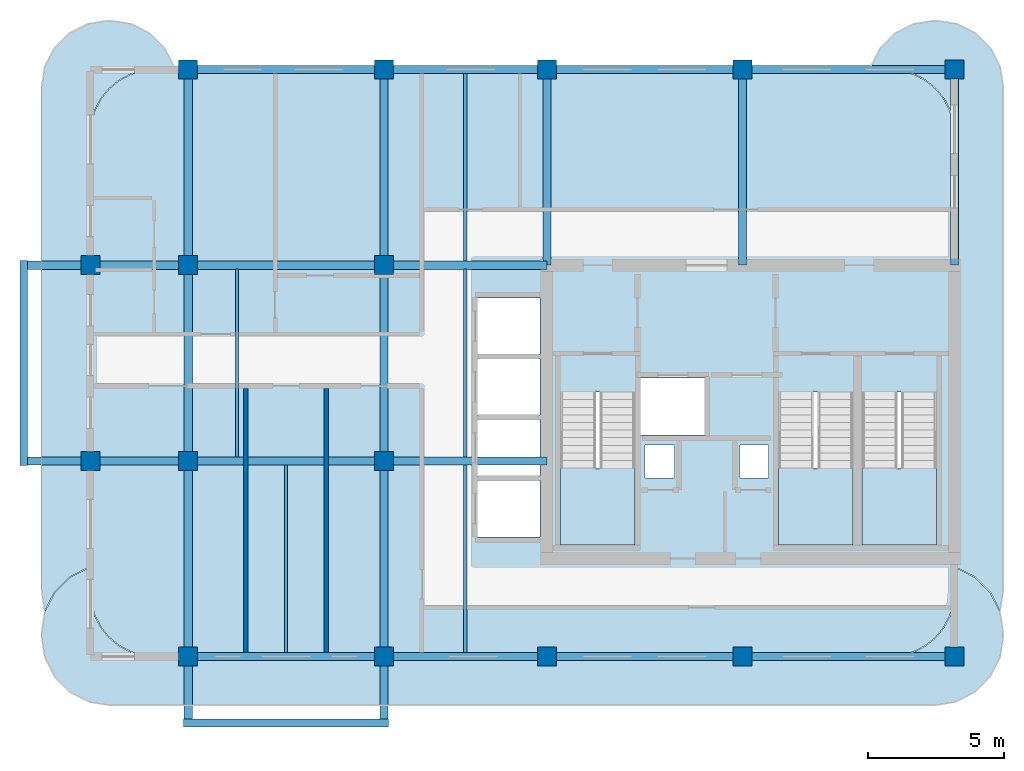
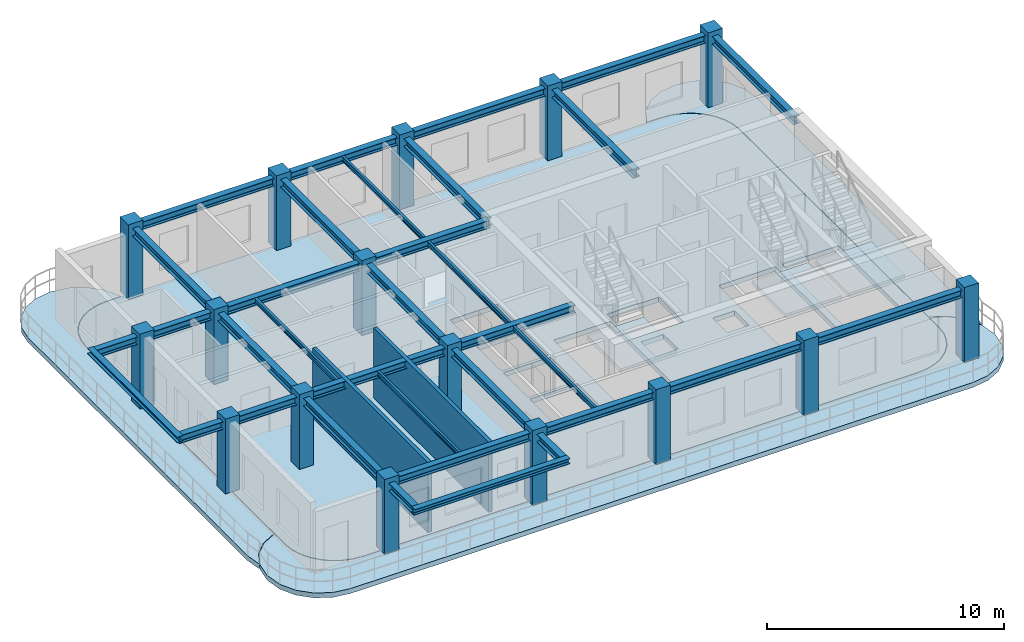
# One storey, part 1 of 7: 28 beams, 16 columns, 7 slabs, 2 walls, 3 elements without a shape of their own.
"""IFC4 building model written with IfcOpenShell, lengths in metres."""

from ifc_helpers import new_model, si_unit, derived_unit, direction, frame, frame_2d, origin, origin_2d, place, context, subcontext, project, spatial, polyline, rectangle, i_section, outline, extrude, source, transform, mapped, material, layer, layer_set, material_profile, profile_set, type_object, type_shapes, element, aggregate, save


model = new_model("IFC4")

# Units and contexts
model_context = context("Model", 3, precision=1e-05, world=origin(), true_north=direction((0.0, 1.0)))
body_context = subcontext(model_context, "Body", "Model", "MODEL_VIEW")
ifc_project = project(units=[si_unit("LENGTHUNIT", "METRE"), si_unit("AREAUNIT", "SQUARE_METRE"), si_unit("VOLUMEUNIT", "CUBIC_METRE"), si_unit("PLANEANGLEUNIT", "RADIAN"), si_unit("MASSUNIT", "GRAM", prefix="KILO"), si_unit("THERMODYNAMICTEMPERATUREUNIT", "KELVIN"), si_unit("POWERUNIT", "WATT"), derived_unit("THERMALTRANSMITTANCEUNIT", [(si_unit("POWERUNIT", "WATT"), 1), (si_unit("AREAUNIT", "SQUARE_METRE"), -1), (si_unit("THERMODYNAMICTEMPERATUREUNIT", "KELVIN"), -1)])], contexts=[model_context])

# Site, building, storey
site_placement = place(None, origin())
site = spatial("IfcSite", under=ifc_project, at=site_placement, CompositionType="ELEMENT")
building_placement = place(site_placement, origin())
building = spatial("IfcBuilding", under=site, at=building_placement, Name="Zahravan Archway Hotel and Residences", CompositionType="ELEMENT")
storey_placement = place(building_placement, frame((0.0, 0.0, 275.050048828125)))
storey = spatial("IfcBuildingStorey", under=building, at=storey_placement, Name="L69", CompositionType="ELEMENT", Elevation=275.050048828125)

# Columns
ifc_material_1 = material(Name="Concrete C50/60", Category="concrete")
ifc_material_profile_1 = material_profile(ifc_material_1, rectangle(XDim=0.699951171875, YDim=0.699951171875, at=origin_2d()), Name="RC-COL-700x700", Category="concrete")
ifc_profile_set_1 = profile_set([ifc_material_profile_1], Name="Concrete C50/60")
column_type = type_object("IfcColumnType", Name="COL-RC-700", PredefinedType="COLUMN", material=ifc_profile_set_1)
shared_shape_1 = source(origin(), body_context, "Body", "SweptSolid", [
    extrude(rectangle(XDim=0.699951171875, YDim=0.699951171875, at=origin_2d()), origin(), (0.0, 0.0, 1.0), 3.849853515625),
])
type_shapes(column_type, [shared_shape_1])
for number, where, z_axis, x_axis, name in (
    (1, (21.60009765625, 0.0, 0.0), (0.0, 0.0, 1.0), (1.0, 0.0, 0.0), "L69 Column 4-A"),
    (2, (21.60009765625, 7.199951171875, 0.0), (0.0, 0.0, 1.0), (1.0, 0.0, 0.0), "L69 Column 4-B"),
    (3, (21.60009765625, 14.39990234375, 0.0), (0.0, 0.0, 1.0), (1.0, 0.0, 0.0), "L69 Column 4-C"),
    (4, (21.60009765625, 21.60009765625, 0.0), (0.0, 0.0, 1.0), (1.0, 0.0, 0.0), "L69 Column 4-D"),
    (5, (28.800048828125, 0.0, 0.0), (0.0, 0.0, 1.0), (1.0, 0.0, 0.0), "L69 Column 5-A"),
    (6, (28.800048828125, 7.199951171875, 0.0), (0.0, 0.0, 1.0), (1.0, 0.0, 0.0), "L69 Column 5-B"),
    (7, (28.800048828125, 14.39990234375, 0.0), (0.0, 0.0, 1.0), (1.0, 0.0, 0.0), "L69 Column 5-C"),
    (8, (28.800048828125, 21.60009765625, 0.0), (0.0, 0.0, 1.0), (1.0, 0.0, 0.0), "L69 Column 5-D"),
    (9, (34.800048828125, 0.0, 0.0), (0.0, 0.0, 1.0), (1.0, 0.0, 0.0), "L69 Column 6-A"),
    (10, (34.800048828125, 21.60009765625, 0.0), (0.0, 0.0, 1.0), (1.0, 0.0, 0.0), "L69 Column 6-D"),
    (11, (42.0, 0.0, 0.0), (0.0, 0.0, 1.0), (1.0, 0.0, 0.0), "L69 Column 7-A"),
    (12, (42.0, 21.60009765625, 0.0), (0.0, 0.0, 1.0), (1.0, 0.0, 0.0), "L69 Column 7-D"),
    (13, (49.800048828125, 0.0, 0.0), (0.0, 0.0, 1.0), (1.0, 0.0, 0.0), "L69 Column 8-A"),
    (14, (49.800048828125, 21.60009765625, 0.0), (0.0, 0.0, 1.0), (1.0, 0.0, 0.0), "L69 Column 8-D"),
    (15, (18.0, 7.199951171875, 0.0), (0.0, 0.0, 1.0), (1.0, 0.0, 0.0), "L69 Column 3W-B"),
    (16, (18.0, 14.39990234375, 0.0), (0.0, 0.0, 1.0), (1.0, 0.0, 0.0), "L69 Column 3W-C"),
):
    element("IfcColumn", number, at=place(storey_placement, frame(where, z_axis=z_axis, x_axis=x_axis)), inside=storey, type_object=column_type, Name=name, PredefinedType="COLUMN", context=body_context, shape_type="MappedRepresentation", body=[
        mapped(shared_shape_1, transform((0.0, 0.0, 0.0), scale=1.0)),
    ])

# Beams
ifc_material_2 = material(Name="Structural Steel S355JR", Category="steel")
ifc_material_profile_2 = material_profile(ifc_material_2, i_section(OverallWidth=0.280029296875, OverallDepth=0.280029296875, WebThickness=0.010498046875, FlangeThickness=0.01806640625, FilletRadius=0.02392578125, at=origin_2d()), Name="HEB 280", Category="steel")
ifc_profile_set_2 = profile_set([ifc_material_profile_2], Name="Structural Steel S355JR")
beam_type_1 = type_object("IfcBeamType", Name="BM-SPN-HEB280", PredefinedType="SPANDREL", material=ifc_profile_set_2)
shared_shape_2 = source(origin(), body_context, "Body", "SweptSolid", [
    extrude(i_section(OverallWidth=0.280029296875, OverallDepth=0.280029296875, WebThickness=0.010498046875, FlangeThickness=0.01806640625, FilletRadius=0.02392578125, at=origin_2d()), origin(), (0.0, 0.0, 1.0), 7.56005859375),
])
type_shapes(beam_type_1, [shared_shape_2])
for number, where, z_axis, x_axis, name in (
    (17, (15.550048828125, 7.02001953125, 3.4599609375), (0.0, 1.0, 0.0), (-1.0, 0.0, 0.0), "L70 WA Balcony Edge Spandrel"),
    (18, (21.419921875, -2.449951171875, 3.4599609375), (1.0, 0.0, 0.0), (0.0, 1.0, 0.0), "L70 SA Balcony Edge Spandrel"),
):
    element("IfcBeam", number, at=place(storey_placement, frame(where, z_axis=z_axis, x_axis=x_axis)), inside=storey, type_object=beam_type_1, Name=name, PredefinedType="SPANDREL", context=body_context, shape_type="MappedRepresentation", body=[
        mapped(shared_shape_2, transform((0.0, 0.0, 0.0), scale=1.0)),
    ])
ifc_material_profile_3 = material_profile(ifc_material_2, i_section(OverallWidth=0.300048828125, OverallDepth=0.39990234375, WebThickness=0.013427734375, FlangeThickness=0.02392578125, FilletRadius=0.027099609375, at=origin_2d()), Name="HEB 400", Category="steel")
ifc_profile_set_3 = profile_set([ifc_material_profile_3], Name="Structural Steel S355JR")
beam_type_2 = type_object("IfcBeamType", Name="BM-PRI-HEB400", PredefinedType="BEAM", material=ifc_profile_set_3)
shared_shape_3 = source(origin(), body_context, "Body", "SweptSolid", [
    extrude(i_section(OverallWidth=0.300048828125, OverallDepth=0.39990234375, WebThickness=0.013427734375, FlangeThickness=0.02392578125, FilletRadius=0.027099609375, at=origin_2d()), origin(), (0.0, 0.0, 1.0), 7.199951171875),
])
type_shapes(beam_type_2, [shared_shape_3])
for number, where, z_axis, x_axis, name in (
    (19, (21.60009765625, 0.0, 3.39990234375), (1.0, 0.0, 0.0), (0.0, 1.0, 0.0), "L69 Primary Girder EW-01"),
    (20, (34.800048828125, 0.0, 3.39990234375), (1.0, 0.0, 0.0), (0.0, 1.0, 0.0), "L69 Primary Girder EW-03"),
    (21, (21.60009765625, 21.60009765625, 3.39990234375), (1.0, 0.0, 0.0), (0.0, 1.0, 0.0), "L69 Primary Girder EW-09"),
    (22, (34.800048828125, 21.60009765625, 3.39990234375), (1.0, 0.0, 0.0), (0.0, 1.0, 0.0), "L69 Primary Girder EW-11"),
    (23, (21.60009765625, 7.199951171875, 3.39990234375), (0.0, 1.0, 0.0), (-1.0, 0.0, 0.0), "L69 Primary Girder NS-14"),
    (24, (28.800048828125, 7.199951171875, 3.39990234375), (0.0, 1.0, 0.0), (-1.0, 0.0, 0.0), "L69 Primary Girder NS-17"),
):
    element("IfcBeam", number, at=place(storey_placement, frame(where, z_axis=z_axis, x_axis=x_axis)), inside=storey, type_object=beam_type_2, Name=name, PredefinedType="BEAM", context=body_context, shape_type="MappedRepresentation", body=[
        mapped(shared_shape_3, transform((0.0, 0.0, 0.0), scale=1.0)),
    ])
shared_shape_4 = source(origin(), body_context, "Body", "SweptSolid", [
    extrude(i_section(OverallWidth=0.300048828125, OverallDepth=0.39990234375, WebThickness=0.013427734375, FlangeThickness=0.02392578125, FilletRadius=0.027099609375, at=origin_2d()), origin(), (0.0, 0.0, 1.0), 6.0),
])
for number, where, z_axis, x_axis, name in (
    (25, (28.800048828125, 0.0, 3.39990234375), (1.0, 0.0, 0.0), (0.0, 1.0, 0.0), "L69 Primary Girder EW-02"),
    (26, (28.800048828125, 7.199951171875, 3.39990234375), (1.0, 0.0, 0.0), (0.0, 1.0, 0.0), "L69 Primary Girder EW-06"),
    (27, (28.800048828125, 14.39990234375, 3.39990234375), (1.0, 0.0, 0.0), (0.0, 1.0, 0.0), "L69 Primary Girder EW-08"),
    (28, (28.800048828125, 21.60009765625, 3.39990234375), (1.0, 0.0, 0.0), (0.0, 1.0, 0.0), "L69 Primary Girder EW-10"),
):
    element("IfcBeam", number, at=place(storey_placement, frame(where, z_axis=z_axis, x_axis=x_axis)), inside=storey, type_object=beam_type_2, Name=name, PredefinedType="BEAM", context=body_context, shape_type="MappedRepresentation", body=[
        mapped(shared_shape_4, transform((0.0, 0.0, 0.0), scale=1.0)),
    ])
shared_shape_5 = source(origin(), body_context, "Body", "SweptSolid", [
    extrude(i_section(OverallWidth=0.300048828125, OverallDepth=0.39990234375, WebThickness=0.013427734375, FlangeThickness=0.02392578125, FilletRadius=0.027099609375, at=origin_2d()), origin(), (0.0, 0.0, 1.0), 7.800048828125),
])
for number, where, z_axis, x_axis, name in (
    (29, (42.0, 0.0, 3.39990234375), (1.0, 0.0, 0.0), (0.0, 1.0, 0.0), "L69 Primary Girder EW-04"),
    (30, (42.0, 21.60009765625, 3.39990234375), (1.0, 0.0, 0.0), (0.0, 1.0, 0.0), "L69 Primary Girder EW-12"),
):
    element("IfcBeam", number, at=place(storey_placement, frame(where, z_axis=z_axis, x_axis=x_axis)), inside=storey, type_object=beam_type_2, Name=name, PredefinedType="BEAM", context=body_context, shape_type="MappedRepresentation", body=[
        mapped(shared_shape_5, transform((0.0, 0.0, 0.0), scale=1.0)),
    ])
shared_shape_6 = source(origin(), body_context, "Body", "SweptSolid", [
    extrude(i_section(OverallWidth=0.300048828125, OverallDepth=0.39990234375, WebThickness=0.013427734375, FlangeThickness=0.02392578125, FilletRadius=0.027099609375, at=origin_2d()), origin(), (0.0, 0.0, 1.0), 13.25),
])
for number, where, z_axis, x_axis, name in (
    (31, (15.550048828125, 7.199951171875, 3.39990234375), (1.0, 0.0, 0.0), (0.0, 1.0, 0.0), "L69 Primary Girder EW-05"),
    (32, (15.550048828125, 14.39990234375, 3.39990234375), (1.0, 0.0, 0.0), (0.0, 1.0, 0.0), "L69 Primary Girder EW-07"),
):
    element("IfcBeam", number, at=place(storey_placement, frame(where, z_axis=z_axis, x_axis=x_axis)), inside=storey, type_object=beam_type_2, Name=name, PredefinedType="BEAM", context=body_context, shape_type="MappedRepresentation", body=[
        mapped(shared_shape_6, transform((0.0, 0.0, 0.0), scale=1.0)),
    ])
shared_shape_7 = source(origin(), body_context, "Body", "SweptSolid", [
    extrude(i_section(OverallWidth=0.300048828125, OverallDepth=0.39990234375, WebThickness=0.013427734375, FlangeThickness=0.02392578125, FilletRadius=0.027099609375, at=origin_2d()), origin(), (0.0, 0.0, 1.0), 9.64990234375),
])
for number, where, z_axis, x_axis, name in (
    (33, (21.60009765625, -2.449951171875, 3.39990234375), (0.0, 1.0, 0.0), (-1.0, 0.0, 0.0), "L69 Primary Girder NS-13"),
    (34, (28.800048828125, -2.449951171875, 3.39990234375), (0.0, 1.0, 0.0), (-1.0, 0.0, 0.0), "L69 Primary Girder NS-16"),
):
    element("IfcBeam", number, at=place(storey_placement, frame(where, z_axis=z_axis, x_axis=x_axis)), inside=storey, type_object=beam_type_2, Name=name, PredefinedType="BEAM", context=body_context, shape_type="MappedRepresentation", body=[
        mapped(shared_shape_7, transform((0.0, 0.0, 0.0), scale=1.0)),
    ])
shared_shape_8 = source(origin(), body_context, "Body", "SweptSolid", [
    extrude(i_section(OverallWidth=0.300048828125, OverallDepth=0.39990234375, WebThickness=0.013427734375, FlangeThickness=0.02392578125, FilletRadius=0.027099609375, at=origin_2d()), origin(), (0.0, 0.0, 1.0), 7.2001953125),
])
for number, where, z_axis, x_axis, name in (
    (35, (21.60009765625, 14.39990234375, 3.39990234375), (0.0, 1.0, 0.0), (-1.0, 0.0, 0.0), "L69 Primary Girder NS-15"),
    (36, (28.800048828125, 14.39990234375, 3.39990234375), (0.0, 1.0, 0.0), (-1.0, 0.0, 0.0), "L69 Primary Girder NS-18"),
    (37, (34.800048828125, 14.39990234375, 3.39990234375), (0.0, 1.0, 0.0), (-1.0, 0.0, 0.0), "L69 Primary Girder NS-19"),
    (38, (42.0, 14.39990234375, 3.39990234375), (0.0, 1.0, 0.0), (-1.0, 0.0, 0.0), "L69 Primary Girder NS-20"),
    (39, (49.800048828125, 14.39990234375, 3.39990234375), (0.0, 1.0, 0.0), (-1.0, 0.0, 0.0), "L69 Primary Girder NS-21"),
):
    element("IfcBeam", number, at=place(storey_placement, frame(where, z_axis=z_axis, x_axis=x_axis)), inside=storey, type_object=beam_type_2, Name=name, PredefinedType="BEAM", context=body_context, shape_type="MappedRepresentation", body=[
        mapped(shared_shape_8, transform((0.0, 0.0, 0.0), scale=1.0)),
    ])
ifc_material_profile_4 = material_profile(ifc_material_2, i_section(OverallWidth=0.1201171875, OverallDepth=0.239990234375, WebThickness=0.006103515625, FlangeThickness=0.009765625, FilletRadius=0.014892578125, at=origin_2d()), Name="IPE 240", Category="steel")
ifc_profile_set_4 = profile_set([ifc_material_profile_4], Name="Structural Steel S355JR")
beam_type_3 = type_object("IfcBeamType", Name="BM-JST-IPE240", PredefinedType="JOIST", material=ifc_profile_set_4)
shared_shape_9 = source(origin(), body_context, "Body", "SweptSolid", [
    extrude(i_section(OverallWidth=0.1201171875, OverallDepth=0.239990234375, WebThickness=0.006103515625, FlangeThickness=0.009765625, FilletRadius=0.014892578125, at=origin_2d()), origin(), (0.0, 0.0, 1.0), 6.904052734375),
])
type_shapes(beam_type_3, [shared_shape_9])
for number, where, z_axis, x_axis, name in (
    (40, (25.199951171875, 0.14794921875, 3.47998046875), (0.0, 1.0, 0.0), (-1.0, 0.0, 0.0), "L69 Composite Floor Joist 01"),
    (41, (31.800048828125, 0.14794921875, 3.47998046875), (0.0, 1.0, 0.0), (-1.0, 0.0, 0.0), "L69 Composite Floor Joist 02"),
    (42, (23.39990234375, 7.347900390625, 3.47998046875), (0.0, 1.0, 0.0), (-1.0, 0.0, 0.0), "L69 Composite Floor Joist 03"),
    (43, (31.800048828125, 7.347900390625, 3.47998046875), (0.0, 1.0, 0.0), (-1.0, 0.0, 0.0), "L69 Composite Floor Joist 04"),
):
    element("IfcBeam", number, at=place(storey_placement, frame(where, z_axis=z_axis, x_axis=x_axis)), inside=storey, type_object=beam_type_3, Name=name, PredefinedType="JOIST", context=body_context, shape_type="MappedRepresentation", body=[
        mapped(shared_shape_9, transform((0.0, 0.0, 0.0), scale=1.0)),
    ])
shared_shape_10 = source(origin(), body_context, "Body", "SweptSolid", [
    extrude(i_section(OverallWidth=0.1201171875, OverallDepth=0.239990234375, WebThickness=0.006103515625, FlangeThickness=0.009765625, FilletRadius=0.014892578125, at=origin_2d()), origin(), (0.0, 0.0, 1.0), 6.90380859375),
])
beam_placement = place(storey_placement, frame((31.800048828125, 14.548095703125, 3.47998046875), z_axis=(0.0, 1.0, 0.0), x_axis=(-1.0, 0.0, 0.0)))
element("IfcBeam", 44, at=beam_placement, inside=storey, type_object=beam_type_3, Name="L69 Composite Floor Joist 05", PredefinedType="JOIST", context=body_context, shape_type="MappedRepresentation", body=[
    mapped(shared_shape_10, transform((0.0, 0.0, 0.0), scale=1.0)),
])

# Slabs
ifc_material_3 = material(Name="Concrete C45/55", Category="concrete")
ifc_layer_1 = layer(ifc_material_3, 0.25, Name="Concrete C45/55", Category="concrete")
ifc_layer_set_1 = layer_set([ifc_layer_1], Name="Concrete C45/55")
slab_type_1 = type_object("IfcSlabType", Name="SLB-BALC-250", PredefinedType="FLOOR", material=ifc_layer_set_1)
slab_1_placement = place(storey_placement, frame((0.0, 0.0, -0.25)))
element("IfcSlab", 45, at=slab_1_placement, inside=storey, type_object=slab_type_1, Name="L69 Wing A South Rounded Balcony Band", PredefinedType="FLOOR", context=body_context, shape_type="SweptSolid", body=[
    extrude(outline(polyline([(49.837890625, 3.275146484375), (50.548828125, 2.9130859375), (51.113037109375, 2.348876953125), (51.47509765625, 1.637939453125), (51.60009765625, 0.85009765625), (51.60009765625, 0.75), (51.47509765625, -0.0380859375), (51.113037109375, -0.748779296875), (50.548828125, -1.31298828125), (49.837890625, -1.67529296875), (49.050048828125, -1.800048828125), (18.75, -1.800048828125), (17.9619140625, -1.67529296875), (17.251220703125, -1.31298828125), (16.68701171875, -0.748779296875), (16.32470703125, -0.0380859375), (16.199951171875, 0.75), (16.199951171875, 0.85009765625), (16.32470703125, 1.637939453125), (16.68701171875, 2.348876953125), (17.251220703125, 2.9130859375), (17.9619140625, 3.275146484375), (17.97998046875, 3.278076171875), (17.97998046875, 2.39990234375), (17.97998046875, 2.39794921875), (18.026123046875, 1.9296875), (18.026611328125, 1.927978515625), (18.027099609375, 1.926025390625), (18.16357421875, 1.475830078125), (18.164306640625, 1.473876953125), (18.1650390625, 1.47216796875), (18.386962890625, 1.05712890625), (18.387939453125, 1.055419921875), (18.388916015625, 1.053955078125), (18.6875, 0.690185546875), (18.688720703125, 0.688720703125), (18.690185546875, 0.6875), (19.053955078125, 0.388916015625), (19.055419921875, 0.387939453125), (19.05712890625, 0.386962890625), (19.47216796875, 0.1650390625), (19.473876953125, 0.164306640625), (19.475830078125, 0.16357421875), (19.926025390625, 0.027099609375), (19.927978515625, 0.026611328125), (19.9296875, 0.026123046875), (20.39794921875, -0.02001953125), (20.39990234375, -0.02001953125), (47.39990234375, -0.02001953125), (47.402099609375, -0.02001953125), (47.8701171875, 0.026123046875), (47.8720703125, 0.026611328125), (47.8740234375, 0.027099609375), (48.32421875, 0.16357421875), (48.326171875, 0.164306640625), (48.327880859375, 0.1650390625), (48.742919921875, 0.386962890625), (48.744384765625, 0.387939453125), (48.74609375, 0.388916015625), (49.10986328125, 0.6875), (49.111083984375, 0.688720703125), (49.112548828125, 0.690185546875), (49.410888671875, 1.053955078125), (49.412109375, 1.055419921875), (49.4130859375, 1.05712890625), (49.635009765625, 1.47216796875), (49.6357421875, 1.473876953125), (49.636474609375, 1.475830078125), (49.77294921875, 1.926025390625), (49.7734375, 1.927978515625), (49.773681640625, 1.9296875), (49.81982421875, 2.39794921875), (49.820068359375, 2.39990234375), (49.820068359375, 3.278076171875), (49.837890625, 3.275146484375)])), origin(), (0.0, 0.0, 1.0), 0.25),
])
slab_2_placement = place(storey_placement, frame((0.0, 0.0, -0.25)))
element("IfcSlab", 46, at=slab_2_placement, inside=storey, type_object=slab_type_1, Name="L69 Wing A East Rounded Balcony Band", PredefinedType="FLOOR", context=body_context, shape_type="SweptSolid", body=[
    extrude(outline(polyline([(46.719970703125, 21.70703125), (47.06787109375, 22.39013671875), (47.60986328125, 22.93212890625), (48.29296875, 23.280029296875), (49.050048828125, 23.39990234375), (49.14990234375, 23.39990234375), (49.906982421875, 23.280029296875), (50.590087890625, 22.93212890625), (51.132080078125, 22.39013671875), (51.47998046875, 21.70703125), (51.60009765625, 20.949951171875), (51.60009765625, 2.449951171875), (51.47998046875, 1.69287109375), (51.474853515625, 1.6826171875), (51.130859375, 2.35791015625), (51.1298828125, 2.35986328125), (51.12841796875, 2.361572265625), (51.127197265625, 2.363037109375), (50.56298828125, 2.927001953125), (50.5615234375, 2.928466796875), (50.559814453125, 2.9296875), (50.55810546875, 2.930908203125), (49.84716796875, 3.29296875), (49.84521484375, 3.2939453125), (49.84326171875, 3.29443359375), (49.841064453125, 3.294921875), (49.822998046875, 3.2978515625), (49.8212890625, 3.298095703125), (49.820068359375, 3.298095703125), (49.820068359375, 19.199951171875), (49.81982421875, 19.201904296875), (49.773681640625, 19.670166015625), (49.7734375, 19.672119140625), (49.77294921875, 19.674072265625), (49.636474609375, 20.124267578125), (49.6357421875, 20.126220703125), (49.635009765625, 20.127685546875), (49.4130859375, 20.542724609375), (49.412109375, 20.54443359375), (49.410888671875, 20.546142578125), (49.112548828125, 20.909912109375), (49.111083984375, 20.9111328125), (49.10986328125, 20.91259765625), (48.74609375, 21.2109375), (48.744384765625, 21.212158203125), (48.742919921875, 21.213134765625), (48.327880859375, 21.434814453125), (48.326171875, 21.435791015625), (48.32421875, 21.436279296875), (47.8740234375, 21.572998046875), (47.8720703125, 21.573486328125), (47.8701171875, 21.57373046875), (47.402099609375, 21.619873046875), (47.39990234375, 21.6201171875), (46.7060546875, 21.6201171875), (46.719970703125, 21.70703125)])), origin(), (0.0, 0.0, 1.0), 0.25),
])
slab_3_placement = place(storey_placement, frame((0.0, 0.0, -0.25)))
element("IfcSlab", 47, at=slab_3_placement, inside=storey, type_object=slab_type_1, Name="L69 Wing A West Rounded Balcony Band", PredefinedType="FLOOR", context=body_context, shape_type="SweptSolid", body=[
    extrude(outline(polyline([(16.31982421875, 1.69287109375), (16.199951171875, 2.449951171875), (16.199951171875, 20.949951171875), (16.31982421875, 21.70703125), (16.66796875, 22.39013671875), (17.2099609375, 22.93212890625), (17.892822265625, 23.280029296875), (18.64990234375, 23.39990234375), (18.75, 23.39990234375), (19.507080078125, 23.280029296875), (20.190185546875, 22.93212890625), (20.732177734375, 22.39013671875), (21.080078125, 21.70703125), (21.093994140625, 21.6201171875), (20.39990234375, 21.6201171875), (20.39794921875, 21.619873046875), (19.9296875, 21.57373046875), (19.927978515625, 21.573486328125), (19.926025390625, 21.572998046875), (19.475830078125, 21.436279296875), (19.473876953125, 21.435791015625), (19.47216796875, 21.434814453125), (19.05712890625, 21.213134765625), (19.055419921875, 21.212158203125), (19.053955078125, 21.2109375), (18.690185546875, 20.91259765625), (18.688720703125, 20.9111328125), (18.6875, 20.909912109375), (18.388916015625, 20.546142578125), (18.387939453125, 20.54443359375), (18.386962890625, 20.542724609375), (18.1650390625, 20.127685546875), (18.164306640625, 20.126220703125), (18.16357421875, 20.124267578125), (18.027099609375, 19.674072265625), (18.026611328125, 19.672119140625), (18.026123046875, 19.670166015625), (17.97998046875, 19.201904296875), (17.97998046875, 19.199951171875), (17.97998046875, 3.298095703125), (17.978759765625, 3.298095703125), (17.976806640625, 3.2978515625), (17.958984375, 3.294921875), (17.956787109375, 3.29443359375), (17.954833984375, 3.2939453125), (17.952880859375, 3.29296875), (17.241943359375, 2.930908203125), (17.240234375, 2.9296875), (17.238525390625, 2.928466796875), (17.237060546875, 2.927001953125), (16.6728515625, 2.363037109375), (16.67138671875, 2.361572265625), (16.670166015625, 2.35986328125), (16.669189453125, 2.35791015625), (16.3251953125, 1.6826171875), (16.31982421875, 1.69287109375)])), origin(), (0.0, 0.0, 1.0), 0.25),
])
ifc_layer_2 = layer(ifc_material_3, 0.25, Name="Concrete C45/55", Category="concrete")
ifc_layer_set_2 = layer_set([ifc_layer_2], Name="Concrete C45/55")
slab_type_2 = type_object("IfcSlabType", Name="SLB-FLR-250", PredefinedType="FLOOR", material=ifc_layer_set_2)
slab_4_placement = place(storey_placement, frame((0.0, 0.0, -0.25)))
element("IfcSlab", 48, at=slab_4_placement, inside=storey, type_object=slab_type_2, Name="L69 Floor Slab WA", PredefinedType="FLOOR", context=body_context, shape_type="SweptSolid", body=[
    extrude(outline(polyline([(47.39990234375, 0.0), (47.8681640625, 0.046142578125), (48.318359375, 0.1826171875), (48.7333984375, 0.404541015625), (49.09716796875, 0.702880859375), (49.3955078125, 1.066650390625), (49.6171875, 1.481689453125), (49.75390625, 1.931884765625), (49.800048828125, 2.39990234375), (49.800048828125, 19.199951171875), (49.75390625, 19.668212890625), (49.6171875, 20.118408203125), (49.3955078125, 20.533447265625), (49.09716796875, 20.897216796875), (48.7333984375, 21.195556640625), (48.318359375, 21.417236328125), (47.8681640625, 21.553955078125), (47.39990234375, 21.60009765625), (20.39990234375, 21.60009765625), (19.931884765625, 21.553955078125), (19.481689453125, 21.417236328125), (19.066650390625, 21.195556640625), (18.702880859375, 20.897216796875), (18.404541015625, 20.533447265625), (18.1826171875, 20.118408203125), (18.046142578125, 19.668212890625), (18.0, 19.199951171875), (18.0, 2.39990234375), (18.046142578125, 1.931884765625), (18.1826171875, 1.481689453125), (18.404541015625, 1.066650390625), (18.702880859375, 0.702880859375), (19.066650390625, 0.404541015625), (19.481689453125, 0.1826171875), (19.931884765625, 0.046142578125), (20.39990234375, 0.0), (47.39990234375, 0.0)]), holes=[polyline([(35.300048828125, 9.72998046875), (35.300048828125, 4.10009765625), (38.0400390625, 4.10009765625), (38.0400390625, 9.72998046875), (35.300048828125, 9.72998046875)]), polyline([(43.320068359375, 9.72998046875), (43.320068359375, 4.10009765625), (46.06005859375, 4.10009765625), (46.06005859375, 9.72998046875), (43.320068359375, 9.72998046875)]), polyline([(46.39990234375, 9.72998046875), (46.39990234375, 4.10009765625), (49.139892578125, 4.10009765625), (49.139892578125, 9.72998046875), (46.39990234375, 9.72998046875)]), polyline([(38.179931640625, 8.14990234375), (40.699951171875, 8.14990234375), (40.699951171875, 10.25), (38.179931640625, 10.25), (38.179931640625, 8.14990234375)]), polyline([(32.25, 4.39990234375), (34.550048828125, 4.39990234375), (34.550048828125, 6.47998046875), (32.25, 6.47998046875), (32.25, 4.39990234375)]), polyline([(32.25, 6.639892578125), (34.550048828125, 6.639892578125), (34.550048828125, 8.719970703125), (32.25, 8.719970703125), (32.25, 6.639892578125)]), polyline([(32.25, 8.8798828125), (34.550048828125, 8.8798828125), (34.550048828125, 10.9599609375), (32.25, 10.9599609375), (32.25, 8.8798828125)]), polyline([(32.25, 11.1201171875), (34.550048828125, 11.1201171875), (34.550048828125, 13.199951171875), (32.25, 13.199951171875), (32.25, 11.1201171875)]), polyline([(38.419921875, 6.56005859375), (39.5, 6.56005859375), (39.5, 7.780029296875), (38.419921875, 7.780029296875), (38.419921875, 6.56005859375)]), polyline([(41.89990234375, 6.56005859375), (42.9599609375, 6.56005859375), (42.9599609375, 7.780029296875), (41.89990234375, 7.780029296875), (41.89990234375, 6.56005859375)])]), origin(), (0.0, 0.0, 1.0), 0.25),
])

# Stair, slab
stair_type = type_object("IfcStairType", Name="STR-CORE-1300", PredefinedType="HALF_TURN_STAIR", material=ifc_material_1)
stair_1_placement = place(storey_placement, origin())
stair_1 = element("IfcStair", 49, at=stair_1_placement, inside=storey, type_object=stair_type, Name="L69 Core A Exit Stair 1", PredefinedType="HALF_TURN_STAIR")
ifc_layer_3 = layer(ifc_material_1, 0.199951171875, Name="Concrete C50/60", Category="concrete")
ifc_layer_set_3 = layer_set([ifc_layer_3], Name="Concrete C50/60")
slab_type_3 = type_object("IfcSlabType", Name="SLB-LND-200", PredefinedType="LANDING", material=ifc_layer_set_3)
slab_5_placement = place(storey_placement, frame((0.0, 0.0, 1.724853515625)))
slab_5 = element("IfcSlab", 50, at=slab_5_placement, type_object=slab_type_3, Name="ST-A1 landing 1", PredefinedType="LANDING", context=body_context, shape_type="SweptSolid", body=[
    extrude(outline(polyline([(35.300048828125, 6.929931640625), (35.300048828125, 4.10009765625), (38.0400390625, 4.10009765625), (38.0400390625, 6.929931640625), (35.300048828125, 6.929931640625)])), origin(), (0.0, 0.0, 1.0), 0.2001953125),
])
aggregate(stair_1, [slab_5])

stair_2_placement = place(storey_placement, origin())
stair_2 = element("IfcStair", 51, at=stair_2_placement, inside=storey, type_object=stair_type, Name="L69 Core A Exit Stair 2", PredefinedType="HALF_TURN_STAIR")
slab_6_placement = place(storey_placement, frame((0.0, 0.0, 1.724853515625)))
slab_6 = element("IfcSlab", 52, at=slab_6_placement, type_object=slab_type_3, Name="ST-A2 landing 1", PredefinedType="LANDING", context=body_context, shape_type="SweptSolid", body=[
    extrude(outline(polyline([(43.320068359375, 6.929931640625), (43.320068359375, 4.10009765625), (46.06005859375, 4.10009765625), (46.06005859375, 6.929931640625), (43.320068359375, 6.929931640625)])), origin(), (0.0, 0.0, 1.0), 0.2001953125),
])
aggregate(stair_2, [slab_6])

stair_3_placement = place(storey_placement, origin())
stair_3 = element("IfcStair", 53, at=stair_3_placement, inside=storey, type_object=stair_type, Name="L69 Core A Exit Stair 3", PredefinedType="HALF_TURN_STAIR")
slab_7_placement = place(storey_placement, frame((0.0, 0.0, 1.724853515625)))
slab_7 = element("IfcSlab", 54, at=slab_7_placement, type_object=slab_type_3, Name="ST-A3 landing 1", PredefinedType="LANDING", context=body_context, shape_type="SweptSolid", body=[
    extrude(outline(polyline([(46.39990234375, 6.929931640625), (46.39990234375, 4.10009765625), (49.139892578125, 4.10009765625), (49.139892578125, 6.929931640625), (46.39990234375, 6.929931640625)])), origin(), (0.0, 0.0, 1.0), 0.2001953125),
])
aggregate(stair_3, [slab_7])

# Walls
ifc_material_4 = material(Name="Acoustic Stud Partition")
ifc_layer_4 = layer(ifc_material_4, 0.169921875, Name="Acoustic Stud Partition")
ifc_layer_set_4 = layer_set([ifc_layer_4], Name="Acoustic Stud Partition")
wall_type = type_object("IfcWallType", Name="PW-UNIT-170", PredefinedType="PARTITIONING", material=ifc_layer_set_4)
for number, where, z_axis, x_axis, name in (
    (55, (23.719970703125, 0.14794921875, 0.0), (0.0, 0.0, 1.0), (0.0, 1.0, 0.0), "L69 Partition WAS-SBK3A"),
    (56, (26.679931640625, 0.14794921875, 0.0), (0.0, 0.0, 1.0), (0.0, 1.0, 0.0), "L69 Partition WAS-SBK3B"),
):
    element("IfcWall", number, at=place(storey_placement, frame(where, z_axis=z_axis, x_axis=x_axis)), inside=storey, type_object=wall_type, Name=name, PredefinedType="PARTITIONING", context=body_context, shape_type="SweptSolid", body=[
        extrude(rectangle(XDim=9.712158203125, YDim=0.169921875, at=frame_2d((4.85595703125, 0.0))), origin(), (0.0, 0.0, 1.0), 3.599853515625),
    ])

save(model, "model.ifc")
